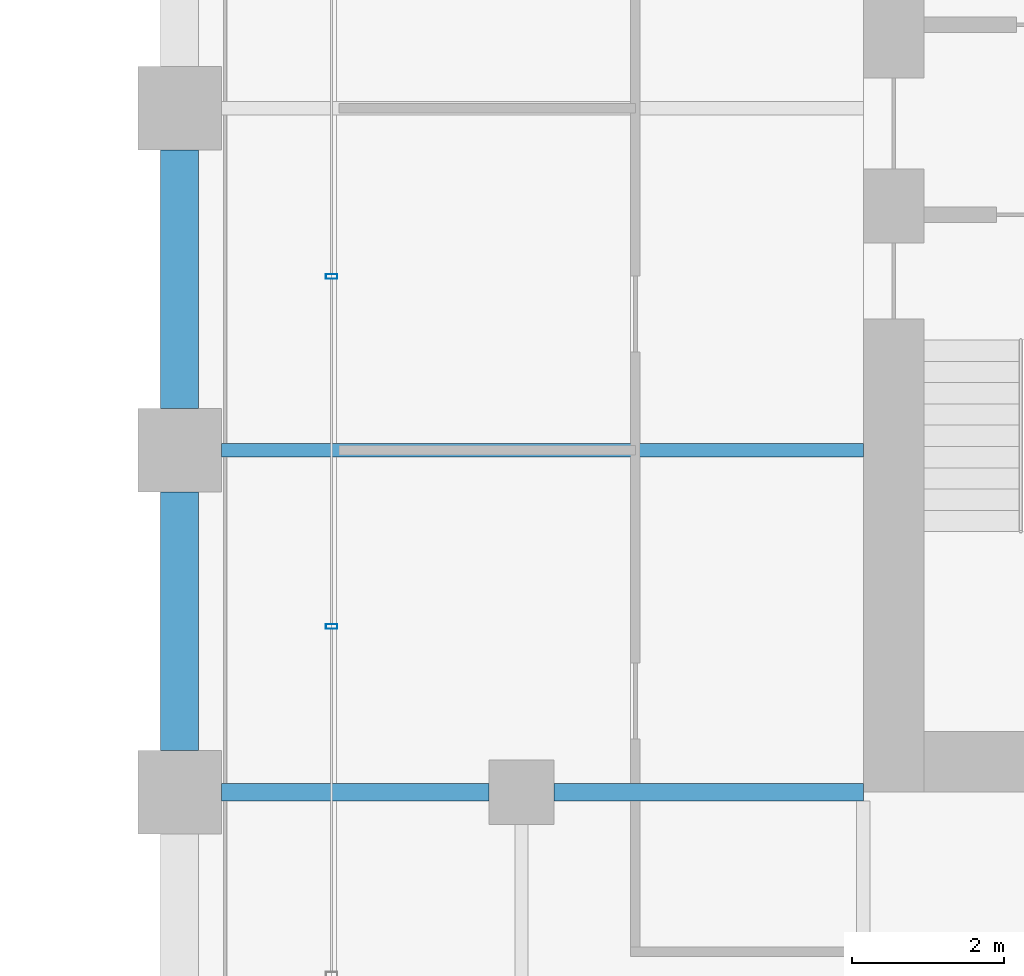
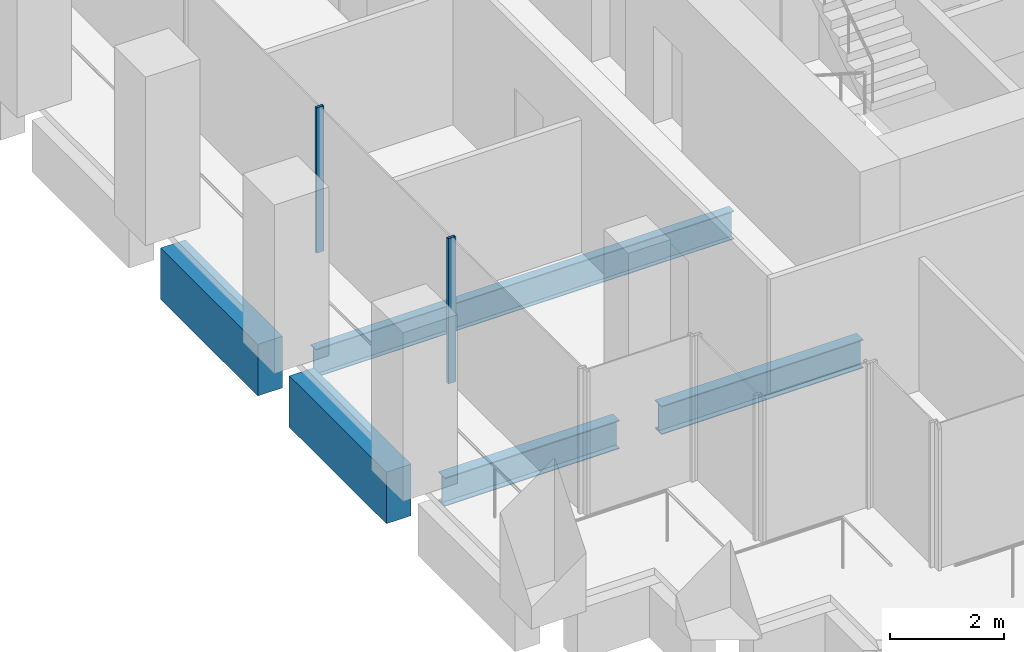
# One storey, part 36 of 56: 5 beams, 2 members, 1 element without a shape of its own.
"""IFC4 building model written with IfcOpenShell, lengths in metres."""

from ifc_helpers import new_model, si_unit, direction, frame, origin, origin_2d, place, context, subcontext, project, spatial, rectangle, hollow_rectangle, i_section, extrude, material, material_profile, profile_set, type_object, element, aggregate, save


model = new_model("IFC4")

# Units and contexts
model_context = context("Model", 3, precision=1e-05, world=origin(), true_north=direction((0.0, 1.0)))
body_context = subcontext(model_context, "Body", "Model", "MODEL_VIEW")
ifc_project = project(units=[si_unit("LENGTHUNIT", "METRE"), si_unit("AREAUNIT", "SQUARE_METRE"), si_unit("VOLUMEUNIT", "CUBIC_METRE"), si_unit("PLANEANGLEUNIT", "RADIAN"), si_unit("MASSUNIT", "GRAM", prefix="KILO")], contexts=[model_context])

# Site, building, storey
site_placement = place(None, origin())
site = spatial("IfcSite", under=ifc_project, at=site_placement, CompositionType="ELEMENT")
building_placement = place(site_placement, origin())
building = spatial("IfcBuilding", under=site, at=building_placement, Name="Altepetl Exchange Towers", CompositionType="ELEMENT")
storey_placement = place(building_placement, frame((0.0, 0.0, 72.60009765625)))
storey = spatial("IfcBuildingStorey", under=building, at=storey_placement, Name="L17", CompositionType="ELEMENT", Elevation=72.60009765625)

# Beams
ifc_material_1 = material(Name="Steel S355", Category="steel")
ifc_material_profile_1 = material_profile(ifc_material_1, i_section(OverallWidth=0.177978515625, OverallDepth=0.59912109375, WebThickness=0.010009765625, FlangeThickness=0.0126953125, at=origin_2d()), Name="W24X55")
ifc_profile_set_1 = profile_set([ifc_material_profile_1], Name="Steel S355")
beam_type_1 = type_object("IfcBeamType", Name="Floor beam W24X55", PredefinedType="BEAM", material=ifc_profile_set_1)
beam_1_placement = place(storey_placement, frame((95.050048828125, 40.5, -0.44970703125), z_axis=(1.0, 0.0, 0.0), x_axis=(0.0, 1.0, 0.0)))
element("IfcBeam", 1, at=beam_1_placement, inside=storey, type_object=beam_type_1, Name="bm:B:L17:012", PredefinedType="BEAM", context=body_context, shape_type="SweptSolid", body=[
    extrude(i_section(OverallWidth=0.177978515625, OverallDepth=0.59912109375, WebThickness=0.010009765625, FlangeThickness=0.0126953125, at=origin_2d()), origin(), (0.0, 0.0, 1.0), 8.449951171875),
])
ifc_material_profile_2 = material_profile(ifc_material_1, i_section(OverallWidth=0.22802734375, OverallDepth=0.60791015625, WebThickness=0.01123046875, FlangeThickness=0.017333984375, at=origin_2d()), Name="W24X76")
ifc_profile_set_2 = profile_set([ifc_material_profile_2], Name="Steel S355")
beam_type_2 = type_object("IfcBeamType", Name="Girder W24X76", PredefinedType="BEAM", material=ifc_profile_set_2)
beam_2_placement = place(storey_placement, frame((103.5, 36.0, -0.4541015625), z_axis=(-1.0, 0.0, 0.0), x_axis=(0.0, -1.0, 0.0)))
element("IfcBeam", 2, at=beam_2_placement, inside=storey, type_object=beam_type_2, Name="gd:B:L17:006", PredefinedType="BEAM", context=body_context, shape_type="SweptSolid", body=[
    extrude(i_section(OverallWidth=0.22802734375, OverallDepth=0.60791015625, WebThickness=0.01123046875, FlangeThickness=0.017333984375, at=origin_2d()), origin(), (0.0, 0.0, 1.0), 4.074951171875),
])
beam_3_placement = place(storey_placement, frame((98.574951171875, 36.0, -0.4541015625), z_axis=(-1.0, 0.0, 0.0), x_axis=(0.0, -1.0, 0.0)))
element("IfcBeam", 3, at=beam_3_placement, inside=storey, type_object=beam_type_2, Name="gd:B:L17:007", PredefinedType="BEAM", context=body_context, shape_type="SweptSolid", body=[
    extrude(i_section(OverallWidth=0.22802734375, OverallDepth=0.60791015625, WebThickness=0.01123046875, FlangeThickness=0.017333984375, at=origin_2d()), origin(), (0.0, 0.0, 1.0), 3.52490234375),
])

# Curtain wall, members
ifc_material_2 = material(Name="Aluminium 6063-T6 glazing", Category="aluminium")
curtain_wall_type = type_object("IfcCurtainWallType", Name="Loggia glazing system", PredefinedType="NOTDEFINED", material=ifc_material_2)
curtain_wall_placement = place(storey_placement, origin())
curtain_wall = element("IfcCurtainWall", 4, at=curtain_wall_placement, inside=storey, type_object=curtain_wall_type, Name="CW1 run", PredefinedType="NOTDEFINED")
ifc_material_3 = material(Name="Aluminium 6063-T6", Category="aluminium")
ifc_material_profile_3 = material_profile(ifc_material_3, hollow_rectangle(XDim=0.06005859375, YDim=0.14990234375, WallThickness=0.0029296875, at=origin_2d()), Name="Mullion 60x150 aluminium")
ifc_profile_set_3 = profile_set([ifc_material_profile_3], Name="Aluminium 6063-T6")
member_type = type_object("IfcMemberType", Name="Mullion 60x150 aluminium", PredefinedType="MULLION", material=ifc_profile_set_3)
member_1_placement = place(storey_placement, frame((96.5, 42.78759765625, 0.0), z_axis=(0.0, 0.0, 1.0), x_axis=(0.0, -1.0, 0.0)))
member_1 = element("IfcMember", 5, at=member_1_placement, type_object=member_type, Name="MU1 mullion", PredefinedType="MULLION", context=body_context, shape_type="SweptSolid", body=[
    extrude(hollow_rectangle(XDim=0.06005859375, YDim=0.14990234375, WallThickness=0.0029296875, at=origin_2d()), origin(), (0.0, 0.0, 1.0), 3.099853515625),
])
member_2_placement = place(storey_placement, frame((96.5, 38.18115234375, 0.0), z_axis=(0.0, 0.0, 1.0), x_axis=(0.0, -1.0, 0.0)))
member_2 = element("IfcMember", 6, at=member_2_placement, type_object=member_type, Name="MU1 mullion", PredefinedType="MULLION", context=body_context, shape_type="SweptSolid", body=[
    extrude(hollow_rectangle(XDim=0.06005859375, YDim=0.14990234375, WallThickness=0.0029296875, at=origin_2d()), origin(), (0.0, 0.0, 1.0), 3.099853515625),
])
aggregate(curtain_wall, [member_1, member_2])

# Beams
ifc_material_4 = material(Name="Concrete C50/60 precast with cantera rosa facing", Category="concrete")
ifc_material_profile_4 = material_profile(ifc_material_4, rectangle(XDim=0.5, YDim=1.10009765625, at=origin_2d()), Name="500 x 1100")
ifc_profile_set_4 = profile_set([ifc_material_profile_4], Name="Concrete C50/60 precast with cantera rosa facing")
beam_type_3 = type_object("IfcBeamType", Name="Spandrel beam 500x1100 cantera rosa", PredefinedType="SPANDREL", material=ifc_profile_set_4)
for number, where, z_axis, x_axis, name in (
    (7, (94.5, 44.449951171875, -0.7001953125), (0.0, -1.0, 0.0), (1.0, 0.0, 0.0), "sp:B:L17:029"),
    (8, (94.5, 39.949951171875, -0.7001953125), (0.0, -1.0, 0.0), (1.0, 0.0, 0.0), "sp:B:L17:030"),
):
    element("IfcBeam", number, at=place(storey_placement, frame(where, z_axis=z_axis, x_axis=x_axis)), inside=storey, type_object=beam_type_3, Name=name, PredefinedType="SPANDREL", context=body_context, shape_type="SweptSolid", body=[
        extrude(rectangle(XDim=0.5, YDim=1.10009765625, at=origin_2d()), origin(), (0.0, 0.0, 1.0), 3.39990234375),
    ])

save(model, "model.ifc")
